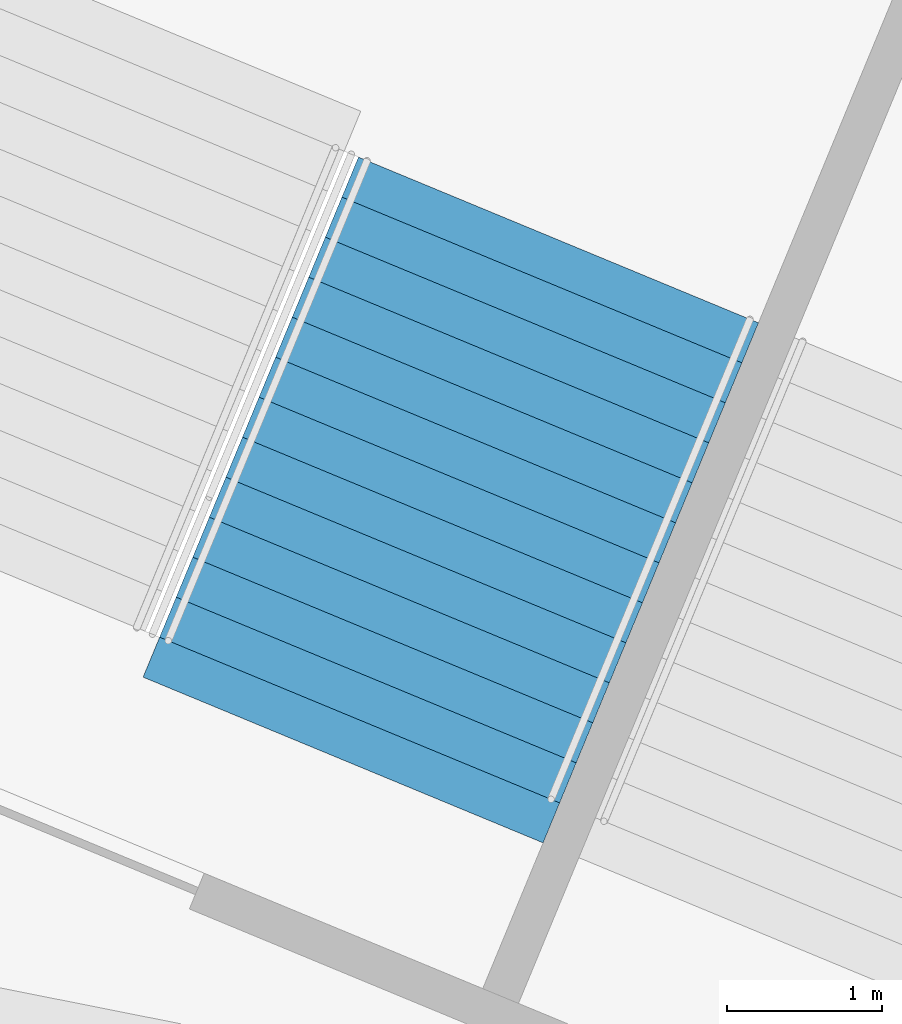
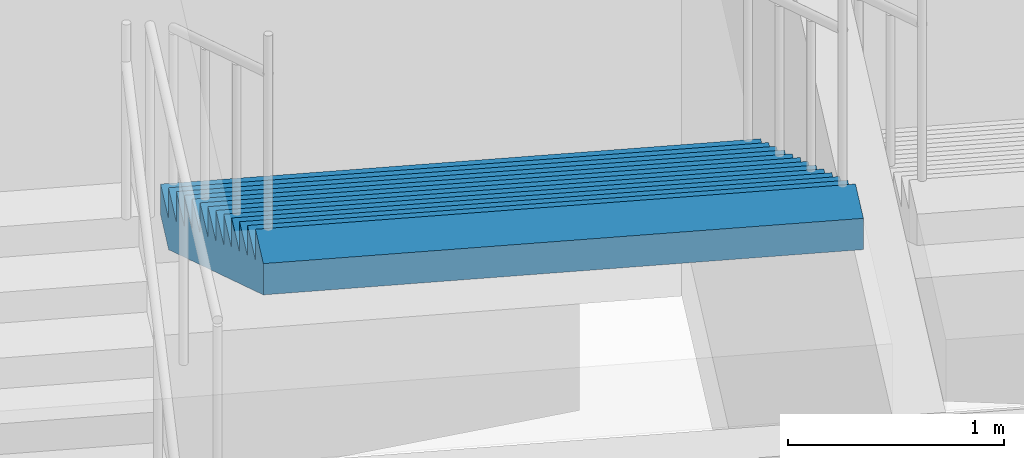
# One storey, part 161 of 177: 1 stair flight, 1 element without a shape of its own.
"""IFC4 building model written with IfcOpenShell, lengths in metres."""

from ifc_helpers import new_model, si_unit, direction, frame, origin, place, context, subcontext, project, spatial, faceted_brep, material, type_object, element, aggregate, save


model = new_model("IFC4")

# Units and contexts
model_context = context("Model", 3, precision=1e-05, world=origin(), true_north=direction((0.0, 1.0)))
body_context = subcontext(model_context, "Body", "Model", "MODEL_VIEW")
ifc_project = project(units=[si_unit("LENGTHUNIT", "METRE"), si_unit("AREAUNIT", "SQUARE_METRE"), si_unit("VOLUMEUNIT", "CUBIC_METRE"), si_unit("PLANEANGLEUNIT", "RADIAN"), si_unit("MASSUNIT", "GRAM", prefix="KILO")], contexts=[model_context])

# Site, building, storey
site_placement = place(None, origin())
site = spatial("IfcSite", under=ifc_project, at=site_placement, CompositionType="ELEMENT")
building_placement = place(site_placement, origin())
building = spatial("IfcBuilding", under=site, at=building_placement, Name="Ogive Plaza Stadium", CompositionType="ELEMENT")
storey_placement = place(building_placement, frame((0.0, 0.0, 18.0)))
storey = spatial("IfcBuildingStorey", under=building, at=storey_placement, Name="L04", CompositionType="ELEMENT", Elevation=18.0)

# Stair, stair flight
ifc_material_1 = material(Name="Concrete C40/50", Category="concrete")
stair_type = type_object("IfcStairType", Name="Exit stair", PredefinedType="STRAIGHT_RUN_STAIR", material=ifc_material_1)
stair_placement = place(storey_placement, origin())
stair = element("IfcStair", 1, at=stair_placement, inside=storey, type_object=stair_type, Name="Exit stair ST38B L04 to L05", PredefinedType="STRAIGHT_RUN_STAIR")
ifc_material_2 = material(Name="Concrete C40/50", Category="concrete")
stair_flight_type = type_object("IfcStairFlightType", Name="Exit stair flight", PredefinedType="STRAIGHT", material=ifc_material_2)
stair_flight_placement = place(storey_placement, frame((50.08349609375, 95.314208984375, 2.25), z_axis=(0.0, 0.0, 1.0), x_axis=(-0.382683432365, -0.923879532511, 0.0)))
stair_flight = element("IfcStairFlight", 2, at=stair_flight_placement, type_object=stair_flight_type, Name="ST38B flight 2", NumberOfRisers=13, NumberOfTreads=12, PredefinedType="STRAIGHT", RiserHeight=0.173076923, TreadLength=0.28, context=body_context, shape_type="Brep", body=[
    faceted_brep([(0.28515625, -1.39990234375, 0.0), (3.639892578125, -1.39990234375, 2.07373046875), (3.639892578125, -1.39990234375, 2.25), (3.360107421875, -1.39990234375, 2.25), (3.360107421875, -1.39990234375, 2.076904296875), (3.080078125, -1.39990234375, 2.076904296875), (3.080078125, -1.39990234375, 1.90380859375), (2.800048828125, -1.39990234375, 1.90380859375), (2.800048828125, -1.39990234375, 1.730712890625), (2.52001953125, -1.39990234375, 1.730712890625), (2.52001953125, -1.39990234375, 1.5576171875), (2.239990234375, -1.39990234375, 1.5576171875), (2.239990234375, -1.39990234375, 1.384521484375), (1.9599609375, -1.39990234375, 1.384521484375), (1.9599609375, -1.39990234375, 1.21142578125), (1.679931640625, -1.39990234375, 1.21142578125), (1.679931640625, -1.39990234375, 1.03857421875), (1.39990234375, -1.39990234375, 1.03857421875), (1.39990234375, -1.39990234375, 0.865478515625), (1.1201171875, -1.39990234375, 0.865478515625), (1.1201171875, -1.39990234375, 0.6923828125), (0.840087890625, -1.39990234375, 0.6923828125), (0.840087890625, -1.39990234375, 0.519287109375), (0.56005859375, -1.39990234375, 0.519287109375), (0.56005859375, -1.39990234375, 0.34619140625), (0.280029296875, -1.39990234375, 0.34619140625), (0.280029296875, -1.39990234375, 0.173095703125), (0.0, -1.39990234375, 0.173095703125), (0.0, -1.39990234375, 0.0), (0.0, 1.39990234375, 0.0), (0.0, 1.39990234375, 0.173095703125), (0.280029296875, 1.39990234375, 0.173095703125), (0.280029296875, 1.39990234375, 0.34619140625), (0.56005859375, 1.39990234375, 0.34619140625), (0.56005859375, 1.39990234375, 0.519287109375), (0.840087890625, 1.39990234375, 0.519287109375), (0.840087890625, 1.39990234375, 0.6923828125), (1.1201171875, 1.39990234375, 0.6923828125), (1.1201171875, 1.39990234375, 0.865478515625), (1.39990234375, 1.39990234375, 0.865478515625), (1.39990234375, 1.39990234375, 1.03857421875), (1.679931640625, 1.39990234375, 1.03857421875), (1.679931640625, 1.39990234375, 1.21142578125), (1.9599609375, 1.39990234375, 1.21142578125), (1.9599609375, 1.39990234375, 1.384521484375), (2.239990234375, 1.39990234375, 1.384521484375), (2.239990234375, 1.39990234375, 1.5576171875), (2.52001953125, 1.39990234375, 1.5576171875), (2.52001953125, 1.39990234375, 1.730712890625), (2.800048828125, 1.39990234375, 1.730712890625), (2.800048828125, 1.39990234375, 1.90380859375), (3.080078125, 1.39990234375, 1.90380859375), (3.080078125, 1.39990234375, 2.076904296875), (3.360107421875, 1.39990234375, 2.076904296875), (3.360107421875, 1.39990234375, 2.25), (3.639892578125, 1.39990234375, 2.25), (3.639892578125, 1.39990234375, 2.07373046875), (0.28515625, 1.39990234375, 0.0), (0.28515625, -1.0888671875, 0.0), (3.639892578125, -1.0888671875, 2.07373046875), (0.28515625, -0.77783203125, 0.0), (3.639892578125, -0.77783203125, 2.07373046875), (0.28515625, -0.466796875, 0.0), (3.639892578125, -0.466796875, 2.07373046875), (0.28515625, -0.155517578125, 0.0), (3.639892578125, -0.155517578125, 2.07373046875), (0.28515625, 0.155517578125, 0.0), (3.639892578125, 0.155517578125, 2.07373046875), (0.28515625, 0.466796875, 0.0), (3.639892578125, 0.466796875, 2.07373046875), (0.28515625, 0.77783203125, 0.0), (3.639892578125, 0.77783203125, 2.07373046875), (0.28515625, 1.0888671875, 0.0), (3.639892578125, 1.0888671875, 2.07373046875), (3.639892578125, -1.0888671875, 2.25), (3.639892578125, -0.77783203125, 2.25), (3.639892578125, -0.466796875, 2.25), (3.639892578125, -0.155517578125, 2.25), (3.639892578125, 0.155517578125, 2.25), (3.639892578125, 0.466796875, 2.25), (3.639892578125, 0.77783203125, 2.25), (3.639892578125, 1.0888671875, 2.25), (3.360107421875, -1.0888671875, 2.25), (3.360107421875, -0.77783203125, 2.25), (3.360107421875, -0.466796875, 2.25), (3.360107421875, -0.155517578125, 2.25), (3.360107421875, 0.155517578125, 2.25), (3.360107421875, 0.466796875, 2.25), (3.360107421875, 0.77783203125, 2.25), (3.360107421875, 1.0888671875, 2.25), (3.360107421875, -1.0888671875, 2.076904296875), (3.360107421875, -0.77783203125, 2.076904296875), (3.360107421875, -0.466796875, 2.076904296875), (3.360107421875, -0.155517578125, 2.076904296875), (3.360107421875, 0.155517578125, 2.076904296875), (3.360107421875, 0.466796875, 2.076904296875), (3.360107421875, 0.77783203125, 2.076904296875), (3.360107421875, 1.0888671875, 2.076904296875), (3.080078125, -1.0888671875, 2.076904296875), (3.080078125, -0.77783203125, 2.076904296875), (3.080078125, -0.466796875, 2.076904296875), (3.080078125, -0.155517578125, 2.076904296875), (3.080078125, 0.155517578125, 2.076904296875), (3.080078125, 0.466796875, 2.076904296875), (3.080078125, 0.77783203125, 2.076904296875), (3.080078125, 1.0888671875, 2.076904296875), (3.080078125, -1.0888671875, 1.90380859375), (3.080078125, -0.77783203125, 1.90380859375), (3.080078125, -0.466796875, 1.90380859375), (3.080078125, -0.155517578125, 1.90380859375), (3.080078125, 0.155517578125, 1.90380859375), (3.080078125, 0.466796875, 1.90380859375), (3.080078125, 0.77783203125, 1.90380859375), (3.080078125, 1.0888671875, 1.90380859375), (2.800048828125, -1.0888671875, 1.90380859375), (2.800048828125, -0.77783203125, 1.90380859375), (2.800048828125, -0.466796875, 1.90380859375), (2.800048828125, -0.155517578125, 1.90380859375), (2.800048828125, 0.155517578125, 1.90380859375), (2.800048828125, 0.466796875, 1.90380859375), (2.800048828125, 0.77783203125, 1.90380859375), (2.800048828125, 1.0888671875, 1.90380859375), (2.800048828125, -1.0888671875, 1.730712890625), (2.800048828125, -0.77783203125, 1.730712890625), (2.800048828125, -0.466796875, 1.730712890625), (2.800048828125, -0.155517578125, 1.730712890625), (2.800048828125, 0.155517578125, 1.730712890625), (2.800048828125, 0.466796875, 1.730712890625), (2.800048828125, 0.77783203125, 1.730712890625), (2.800048828125, 1.0888671875, 1.730712890625), (2.52001953125, -1.0888671875, 1.730712890625), (2.52001953125, -0.77783203125, 1.730712890625), (2.52001953125, -0.466796875, 1.730712890625), (2.52001953125, -0.155517578125, 1.730712890625), (2.52001953125, 0.155517578125, 1.730712890625), (2.52001953125, 0.466796875, 1.730712890625), (2.52001953125, 0.77783203125, 1.730712890625), (2.52001953125, 1.0888671875, 1.730712890625), (2.52001953125, -1.0888671875, 1.5576171875), (2.52001953125, -0.77783203125, 1.5576171875), (2.52001953125, -0.466796875, 1.5576171875), (2.52001953125, -0.155517578125, 1.5576171875), (2.52001953125, 0.155517578125, 1.5576171875), (2.52001953125, 0.466796875, 1.5576171875), (2.52001953125, 0.77783203125, 1.5576171875), (2.52001953125, 1.0888671875, 1.5576171875), (2.239990234375, -1.0888671875, 1.5576171875), (2.239990234375, -0.77783203125, 1.5576171875), (2.239990234375, -0.466796875, 1.5576171875), (2.239990234375, -0.155517578125, 1.5576171875), (2.239990234375, 0.155517578125, 1.5576171875), (2.239990234375, 0.466796875, 1.5576171875), (2.239990234375, 0.77783203125, 1.5576171875), (2.239990234375, 1.0888671875, 1.5576171875), (2.239990234375, -1.0888671875, 1.384521484375), (2.239990234375, -0.77783203125, 1.384521484375), (2.239990234375, -0.466796875, 1.384521484375), (2.239990234375, -0.155517578125, 1.384521484375), (2.239990234375, 0.155517578125, 1.384521484375), (2.239990234375, 0.466796875, 1.384521484375), (2.239990234375, 0.77783203125, 1.384521484375), (2.239990234375, 1.0888671875, 1.384521484375), (1.9599609375, -1.0888671875, 1.384521484375), (1.9599609375, -0.77783203125, 1.384521484375), (1.9599609375, -0.466796875, 1.384521484375), (1.9599609375, -0.155517578125, 1.384521484375), (1.9599609375, 0.155517578125, 1.384521484375), (1.9599609375, 0.466796875, 1.384521484375), (1.9599609375, 0.77783203125, 1.384521484375), (1.9599609375, 1.0888671875, 1.384521484375), (1.9599609375, -1.0888671875, 1.21142578125), (1.9599609375, -0.77783203125, 1.21142578125), (1.9599609375, -0.466796875, 1.21142578125), (1.9599609375, -0.155517578125, 1.21142578125), (1.9599609375, 0.155517578125, 1.21142578125), (1.9599609375, 0.466796875, 1.21142578125), (1.9599609375, 0.77783203125, 1.21142578125), (1.9599609375, 1.0888671875, 1.21142578125), (1.679931640625, -1.0888671875, 1.21142578125), (1.679931640625, -0.77783203125, 1.21142578125), (1.679931640625, -0.466796875, 1.21142578125), (1.679931640625, -0.155517578125, 1.21142578125), (1.679931640625, 0.155517578125, 1.21142578125), (1.679931640625, 0.466796875, 1.21142578125), (1.679931640625, 0.77783203125, 1.21142578125), (1.679931640625, 1.0888671875, 1.21142578125), (1.679931640625, -1.0888671875, 1.03857421875), (1.679931640625, -0.77783203125, 1.03857421875), (1.679931640625, -0.466796875, 1.03857421875), (1.679931640625, -0.155517578125, 1.03857421875), (1.679931640625, 0.155517578125, 1.03857421875), (1.679931640625, 0.466796875, 1.03857421875), (1.679931640625, 0.77783203125, 1.03857421875), (1.679931640625, 1.0888671875, 1.03857421875), (1.39990234375, -1.0888671875, 1.03857421875), (1.39990234375, -0.77783203125, 1.03857421875), (1.39990234375, -0.466796875, 1.03857421875), (1.39990234375, -0.155517578125, 1.03857421875), (1.39990234375, 0.155517578125, 1.03857421875), (1.39990234375, 0.466796875, 1.03857421875), (1.39990234375, 0.77783203125, 1.03857421875), (1.39990234375, 1.0888671875, 1.03857421875), (1.39990234375, -1.0888671875, 0.865478515625), (1.39990234375, -0.77783203125, 0.865478515625), (1.39990234375, -0.466796875, 0.865478515625), (1.39990234375, -0.155517578125, 0.865478515625), (1.39990234375, 0.155517578125, 0.865478515625), (1.39990234375, 0.466796875, 0.865478515625), (1.39990234375, 0.77783203125, 0.865478515625), (1.39990234375, 1.0888671875, 0.865478515625), (1.1201171875, -1.0888671875, 0.865478515625), (1.1201171875, -0.77783203125, 0.865478515625), (1.1201171875, -0.466796875, 0.865478515625), (1.1201171875, -0.155517578125, 0.865478515625), (1.1201171875, 0.155517578125, 0.865478515625), (1.1201171875, 0.466796875, 0.865478515625), (1.1201171875, 0.77783203125, 0.865478515625), (1.1201171875, 1.0888671875, 0.865478515625), (1.1201171875, -1.0888671875, 0.6923828125), (1.1201171875, -0.77783203125, 0.6923828125), (1.1201171875, -0.466796875, 0.6923828125), (1.1201171875, -0.155517578125, 0.6923828125), (1.1201171875, 0.155517578125, 0.6923828125), (1.1201171875, 0.466796875, 0.6923828125), (1.1201171875, 0.77783203125, 0.6923828125), (1.1201171875, 1.0888671875, 0.6923828125), (0.840087890625, -1.0888671875, 0.6923828125), (0.840087890625, -0.77783203125, 0.6923828125), (0.840087890625, -0.466796875, 0.6923828125), (0.840087890625, -0.155517578125, 0.6923828125), (0.840087890625, 0.155517578125, 0.6923828125), (0.840087890625, 0.466796875, 0.6923828125), (0.840087890625, 0.77783203125, 0.6923828125), (0.840087890625, 1.0888671875, 0.6923828125), (0.840087890625, -1.0888671875, 0.519287109375), (0.840087890625, -0.77783203125, 0.519287109375), (0.840087890625, -0.466796875, 0.519287109375), (0.840087890625, -0.155517578125, 0.519287109375), (0.840087890625, 0.155517578125, 0.519287109375), (0.840087890625, 0.466796875, 0.519287109375), (0.840087890625, 0.77783203125, 0.519287109375), (0.840087890625, 1.0888671875, 0.519287109375), (0.56005859375, -1.0888671875, 0.519287109375), (0.56005859375, -0.77783203125, 0.519287109375), (0.56005859375, -0.466796875, 0.519287109375), (0.56005859375, -0.155517578125, 0.519287109375), (0.56005859375, 0.155517578125, 0.519287109375), (0.56005859375, 0.466796875, 0.519287109375), (0.56005859375, 0.77783203125, 0.519287109375), (0.56005859375, 1.0888671875, 0.519287109375), (0.56005859375, -1.0888671875, 0.34619140625), (0.56005859375, -0.77783203125, 0.34619140625), (0.56005859375, -0.466796875, 0.34619140625), (0.56005859375, -0.155517578125, 0.34619140625), (0.56005859375, 0.155517578125, 0.34619140625), (0.56005859375, 0.466796875, 0.34619140625), (0.56005859375, 0.77783203125, 0.34619140625), (0.56005859375, 1.0888671875, 0.34619140625), (0.280029296875, -1.0888671875, 0.34619140625), (0.280029296875, -0.77783203125, 0.34619140625), (0.280029296875, -0.466796875, 0.34619140625), (0.280029296875, -0.155517578125, 0.34619140625), (0.280029296875, 0.155517578125, 0.34619140625), (0.280029296875, 0.466796875, 0.34619140625), (0.280029296875, 0.77783203125, 0.34619140625), (0.280029296875, 1.0888671875, 0.34619140625), (0.280029296875, -1.0888671875, 0.173095703125), (0.280029296875, -0.77783203125, 0.173095703125), (0.280029296875, -0.466796875, 0.173095703125), (0.280029296875, -0.155517578125, 0.173095703125), (0.280029296875, 0.155517578125, 0.173095703125), (0.280029296875, 0.466796875, 0.173095703125), (0.280029296875, 0.77783203125, 0.173095703125), (0.280029296875, 1.0888671875, 0.173095703125), (0.0, -1.0888671875, 0.173095703125), (0.0, -0.77783203125, 0.173095703125), (0.0, -0.466796875, 0.173095703125), (0.0, -0.155517578125, 0.173095703125), (0.0, 0.155517578125, 0.173095703125), (0.0, 0.466796875, 0.173095703125), (0.0, 0.77783203125, 0.173095703125), (0.0, 1.0888671875, 0.173095703125), (0.0, -1.0888671875, 0.0), (0.0, -0.77783203125, 0.0), (0.0, -0.466796875, 0.0), (0.0, -0.155517578125, 0.0), (0.0, 0.155517578125, 0.0), (0.0, 0.466796875, 0.0), (0.0, 0.77783203125, 0.0), (0.0, 1.0888671875, 0.0)], [[[0, 1, 2, 3, 4, 5, 6, 7, 8, 9, 10, 11, 12, 13, 14, 15, 16, 17, 18, 19, 20, 21, 22, 23, 24, 25, 26, 27, 28]], [[29, 30, 31, 32, 33, 34, 35, 36, 37, 38, 39, 40, 41, 42, 43, 44, 45, 46, 47, 48, 49, 50, 51, 52, 53, 54, 55, 56, 57]], [[0, 58, 59, 1]], [[58, 60, 61, 59]], [[60, 62, 63, 61]], [[62, 64, 65, 63]], [[64, 66, 67, 65]], [[66, 68, 69, 67]], [[68, 70, 71, 69]], [[70, 72, 73, 71]], [[72, 57, 56, 73]], [[1, 59, 74, 2]], [[59, 61, 75, 74]], [[61, 63, 76, 75]], [[63, 65, 77, 76]], [[65, 67, 78, 77]], [[67, 69, 79, 78]], [[69, 71, 80, 79]], [[71, 73, 81, 80]], [[73, 56, 55, 81]], [[2, 74, 82, 3]], [[74, 75, 83, 82]], [[75, 76, 84, 83]], [[76, 77, 85, 84]], [[77, 78, 86, 85]], [[78, 79, 87, 86]], [[79, 80, 88, 87]], [[80, 81, 89, 88]], [[81, 55, 54, 89]], [[3, 82, 90, 4]], [[82, 83, 91, 90]], [[83, 84, 92, 91]], [[84, 85, 93, 92]], [[85, 86, 94, 93]], [[86, 87, 95, 94]], [[87, 88, 96, 95]], [[88, 89, 97, 96]], [[89, 54, 53, 97]], [[4, 90, 98, 5]], [[90, 91, 99, 98]], [[91, 92, 100, 99]], [[92, 93, 101, 100]], [[93, 94, 102, 101]], [[94, 95, 103, 102]], [[95, 96, 104, 103]], [[96, 97, 105, 104]], [[97, 53, 52, 105]], [[5, 98, 106, 6]], [[98, 99, 107, 106]], [[99, 100, 108, 107]], [[100, 101, 109, 108]], [[101, 102, 110, 109]], [[102, 103, 111, 110]], [[103, 104, 112, 111]], [[104, 105, 113, 112]], [[105, 52, 51, 113]], [[6, 106, 114, 7]], [[106, 107, 115, 114]], [[107, 108, 116, 115]], [[108, 109, 117, 116]], [[109, 110, 118, 117]], [[110, 111, 119, 118]], [[111, 112, 120, 119]], [[112, 113, 121, 120]], [[113, 51, 50, 121]], [[7, 114, 122, 8]], [[114, 115, 123, 122]], [[115, 116, 124, 123]], [[116, 117, 125, 124]], [[117, 118, 126, 125]], [[118, 119, 127, 126]], [[119, 120, 128, 127]], [[120, 121, 129, 128]], [[121, 50, 49, 129]], [[8, 122, 130, 9]], [[122, 123, 131, 130]], [[123, 124, 132, 131]], [[124, 125, 133, 132]], [[125, 126, 134, 133]], [[126, 127, 135, 134]], [[127, 128, 136, 135]], [[128, 129, 137, 136]], [[129, 49, 48, 137]], [[9, 130, 138, 10]], [[130, 131, 139, 138]], [[131, 132, 140, 139]], [[132, 133, 141, 140]], [[133, 134, 142, 141]], [[134, 135, 143, 142]], [[135, 136, 144, 143]], [[136, 137, 145, 144]], [[137, 48, 47, 145]], [[10, 138, 146, 11]], [[138, 139, 147, 146]], [[139, 140, 148, 147]], [[140, 141, 149, 148]], [[141, 142, 150, 149]], [[142, 143, 151, 150]], [[143, 144, 152, 151]], [[144, 145, 153, 152]], [[145, 47, 46, 153]], [[11, 146, 154, 12]], [[146, 147, 155, 154]], [[147, 148, 156, 155]], [[148, 149, 157, 156]], [[149, 150, 158, 157]], [[150, 151, 159, 158]], [[151, 152, 160, 159]], [[152, 153, 161, 160]], [[153, 46, 45, 161]], [[12, 154, 162, 13]], [[154, 155, 163, 162]], [[155, 156, 164, 163]], [[156, 157, 165, 164]], [[157, 158, 166, 165]], [[158, 159, 167, 166]], [[159, 160, 168, 167]], [[160, 161, 169, 168]], [[161, 45, 44, 169]], [[13, 162, 170, 14]], [[162, 163, 171, 170]], [[163, 164, 172, 171]], [[164, 165, 173, 172]], [[165, 166, 174, 173]], [[166, 167, 175, 174]], [[167, 168, 176, 175]], [[168, 169, 177, 176]], [[169, 44, 43, 177]], [[14, 170, 178, 15]], [[170, 171, 179, 178]], [[171, 172, 180, 179]], [[172, 173, 181, 180]], [[173, 174, 182, 181]], [[174, 175, 183, 182]], [[175, 176, 184, 183]], [[176, 177, 185, 184]], [[177, 43, 42, 185]], [[15, 178, 186, 16]], [[178, 179, 187, 186]], [[179, 180, 188, 187]], [[180, 181, 189, 188]], [[181, 182, 190, 189]], [[182, 183, 191, 190]], [[183, 184, 192, 191]], [[184, 185, 193, 192]], [[185, 42, 41, 193]], [[16, 186, 194, 17]], [[186, 187, 195, 194]], [[187, 188, 196, 195]], [[188, 189, 197, 196]], [[189, 190, 198, 197]], [[190, 191, 199, 198]], [[191, 192, 200, 199]], [[192, 193, 201, 200]], [[193, 41, 40, 201]], [[17, 194, 202, 18]], [[194, 195, 203, 202]], [[195, 196, 204, 203]], [[196, 197, 205, 204]], [[197, 198, 206, 205]], [[198, 199, 207, 206]], [[199, 200, 208, 207]], [[200, 201, 209, 208]], [[201, 40, 39, 209]], [[18, 202, 210, 19]], [[202, 203, 211, 210]], [[203, 204, 212, 211]], [[204, 205, 213, 212]], [[205, 206, 214, 213]], [[206, 207, 215, 214]], [[207, 208, 216, 215]], [[208, 209, 217, 216]], [[209, 39, 38, 217]], [[19, 210, 218, 20]], [[210, 211, 219, 218]], [[211, 212, 220, 219]], [[212, 213, 221, 220]], [[213, 214, 222, 221]], [[214, 215, 223, 222]], [[215, 216, 224, 223]], [[216, 217, 225, 224]], [[217, 38, 37, 225]], [[20, 218, 226, 21]], [[218, 219, 227, 226]], [[219, 220, 228, 227]], [[220, 221, 229, 228]], [[221, 222, 230, 229]], [[222, 223, 231, 230]], [[223, 224, 232, 231]], [[224, 225, 233, 232]], [[225, 37, 36, 233]], [[21, 226, 234, 22]], [[226, 227, 235, 234]], [[227, 228, 236, 235]], [[228, 229, 237, 236]], [[229, 230, 238, 237]], [[230, 231, 239, 238]], [[231, 232, 240, 239]], [[232, 233, 241, 240]], [[233, 36, 35, 241]], [[22, 234, 242, 23]], [[234, 235, 243, 242]], [[235, 236, 244, 243]], [[236, 237, 245, 244]], [[237, 238, 246, 245]], [[238, 239, 247, 246]], [[239, 240, 248, 247]], [[240, 241, 249, 248]], [[241, 35, 34, 249]], [[23, 242, 250, 24]], [[242, 243, 251, 250]], [[243, 244, 252, 251]], [[244, 245, 253, 252]], [[245, 246, 254, 253]], [[246, 247, 255, 254]], [[247, 248, 256, 255]], [[248, 249, 257, 256]], [[249, 34, 33, 257]], [[24, 250, 258, 25]], [[250, 251, 259, 258]], [[251, 252, 260, 259]], [[252, 253, 261, 260]], [[253, 254, 262, 261]], [[254, 255, 263, 262]], [[255, 256, 264, 263]], [[256, 257, 265, 264]], [[257, 33, 32, 265]], [[25, 258, 266, 26]], [[258, 259, 267, 266]], [[259, 260, 268, 267]], [[260, 261, 269, 268]], [[261, 262, 270, 269]], [[262, 263, 271, 270]], [[263, 264, 272, 271]], [[264, 265, 273, 272]], [[265, 32, 31, 273]], [[26, 266, 274, 27]], [[266, 267, 275, 274]], [[267, 268, 276, 275]], [[268, 269, 277, 276]], [[269, 270, 278, 277]], [[270, 271, 279, 278]], [[271, 272, 280, 279]], [[272, 273, 281, 280]], [[273, 31, 30, 281]], [[27, 274, 282, 28]], [[274, 275, 283, 282]], [[275, 276, 284, 283]], [[276, 277, 285, 284]], [[277, 278, 286, 285]], [[278, 279, 287, 286]], [[279, 280, 288, 287]], [[280, 281, 289, 288]], [[281, 30, 29, 289]], [[28, 282, 58, 0]], [[282, 283, 60, 58]], [[283, 284, 62, 60]], [[284, 285, 64, 62]], [[285, 286, 66, 64]], [[286, 287, 68, 66]], [[287, 288, 70, 68]], [[288, 289, 72, 70]], [[289, 29, 57, 72]]]),
])
aggregate(stair, [stair_flight])

save(model, "model.ifc")
